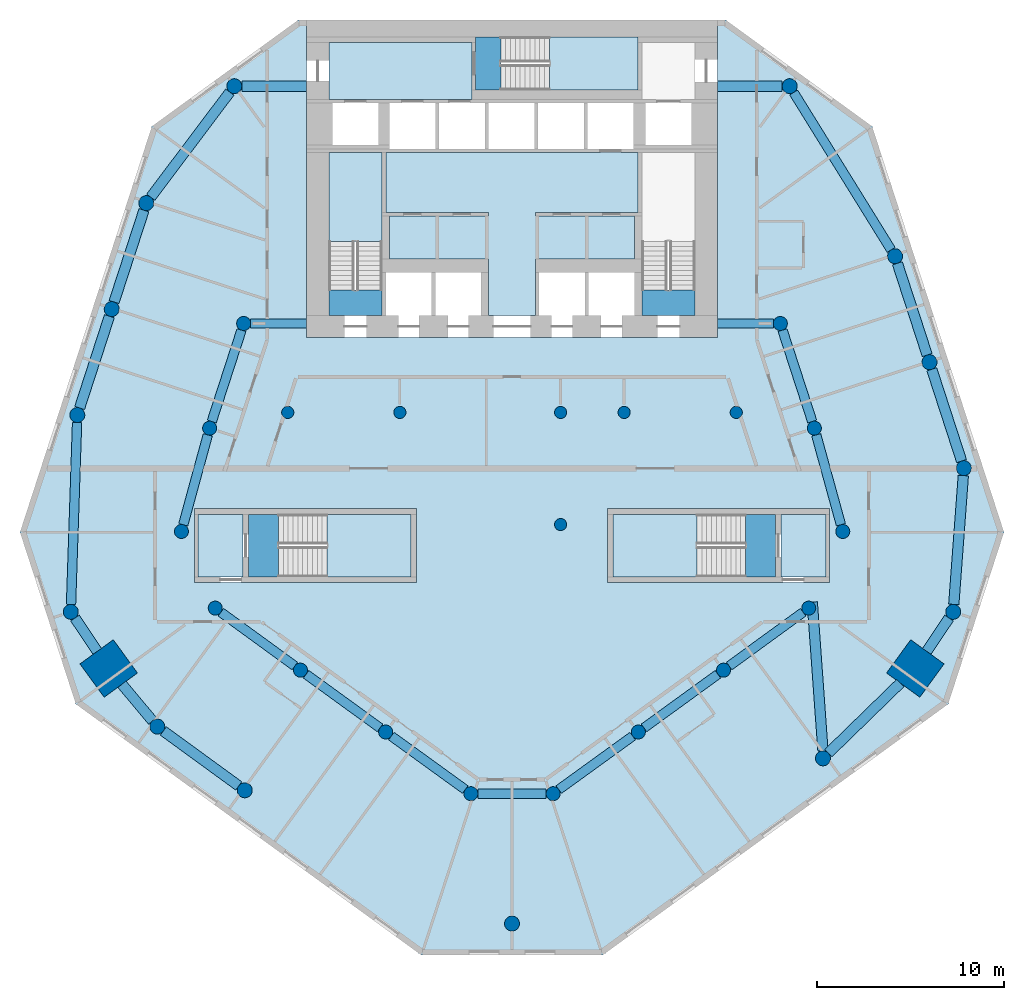
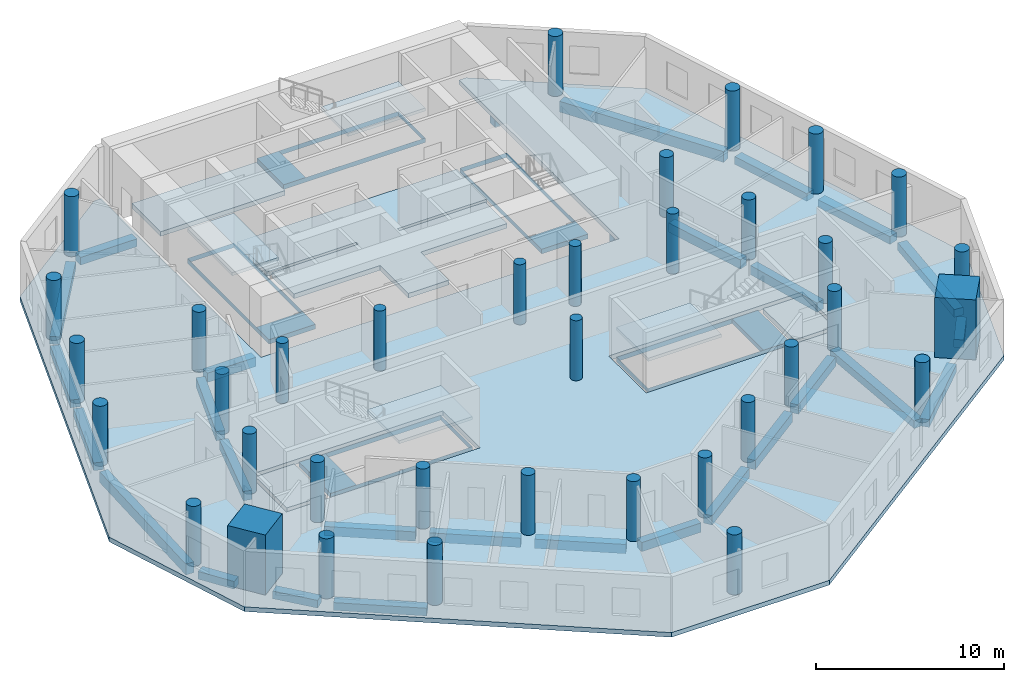
# One storey, part 1 of 9: 36 columns, 29 beams, 14 slabs, 4 elements without a shape of their own.
"""IFC4 building model written with IfcOpenShell, lengths in metres."""

from ifc_helpers import new_model, si_unit, direction, frame, origin, origin_2d, place, context, subcontext, project, spatial, polyline, rectangle, circle, outline, extrude, material, layer, layer_set, material_profile, profile_set, type_object, element, aggregate, save


model = new_model("IFC4")

# Units and contexts
model_context = context("Model", 3, precision=1e-05, world=origin(), true_north=direction((0.0, 1.0)))
body_context = subcontext(model_context, "Body", "Model", "MODEL_VIEW")
ifc_project = project(units=[si_unit("LENGTHUNIT", "METRE"), si_unit("AREAUNIT", "SQUARE_METRE"), si_unit("VOLUMEUNIT", "CUBIC_METRE"), si_unit("PLANEANGLEUNIT", "RADIAN"), si_unit("MASSUNIT", "GRAM", prefix="KILO")], contexts=[model_context])

# Site, building, storey
site_placement = place(None, origin())
site = spatial("IfcSite", under=ifc_project, at=site_placement, CompositionType="ELEMENT")
building_placement = place(site_placement, origin())
building = spatial("IfcBuilding", under=site, at=building_placement, Name="White Candle Pilgrim Tower", CompositionType="ELEMENT")
storey_placement = place(building_placement, frame((0.0, 0.0, 50.699951171875)))
storey = spatial("IfcBuildingStorey", under=building, at=storey_placement, Name="L09", CompositionType="ELEMENT", Elevation=50.699951171875)

# Columns
ifc_material_1 = material(Name="Concrete C80/95", Category="concrete")
ifc_material_profile_1 = material_profile(ifc_material_1, circle(Radius=0.324951171875, at=origin_2d()), Name="RC-COL D650")
ifc_profile_set_1 = profile_set([ifc_material_profile_1], Name="Concrete C80/95")
column_type_1 = type_object("IfcColumnType", Name="Interior column RC-COL D650 C80/95", PredefinedType="COLUMN", material=ifc_profile_set_1)
for number, where, z_axis, x_axis, name in (
    (1, (58.0, 67.0, 0.0), (0.0, 0.0, 1.0), (1.0, 0.0, 0.0), "L09 column I01"),
    (2, (64.0, 67.0, 0.0), (0.0, 0.0, 1.0), (1.0, 0.0, 0.0), "L09 column I02"),
    (3, (72.60009765625, 61.0, 0.0), (0.0, 0.0, 1.0), (1.0, 0.0, 0.0), "L09 column I03"),
    (4, (72.60009765625, 67.0, 0.0), (0.0, 0.0, 1.0), (1.0, 0.0, 0.0), "L09 column I04"),
    (5, (76.0, 67.0, 0.0), (0.0, 0.0, 1.0), (1.0, 0.0, 0.0), "L09 column I05"),
    (6, (82.0, 67.0, 0.0), (0.0, 0.0, 1.0), (1.0, 0.0, 0.0), "L09 column I06"),
):
    element("IfcColumn", number, at=place(storey_placement, frame(where, z_axis=z_axis, x_axis=x_axis)), inside=storey, type_object=column_type_1, Name=name, PredefinedType="COLUMN", context=body_context, shape_type="SweptSolid", body=[
        extrude(circle(Radius=0.324951171875, at=origin_2d()), origin(), (0.0, 0.0, 1.0), 3.900146484375),
    ])
ifc_material_profile_2 = material_profile(ifc_material_1, rectangle(XDim=2.199951171875, YDim=2.199951171875, at=origin_2d()), Name="RC 2200x2200")
ifc_profile_set_2 = profile_set([ifc_material_profile_2], Name="Concrete C80/95")
column_type_2 = type_object("IfcColumnType", Name="Mega column RC 2200x2200 C80/95", PredefinedType="COLUMN", material=ifc_profile_set_2)
for number, where, z_axis, x_axis, name in (
    (7, (48.419921875, 53.300048828125, 0.0), (0.0, 0.0, 1.0), (-0.809016994375, -0.587785252292, 0.0), "L09 mega column T02"),
    (8, (91.580078125, 53.300048828125, 0.0), (0.0, 0.0, 1.0), (0.809016994375, -0.587785252292, 0.0), "L09 mega column T07"),
):
    element("IfcColumn", number, at=place(storey_placement, frame(where, z_axis=z_axis, x_axis=x_axis)), inside=storey, type_object=column_type_2, Name=name, PredefinedType="COLUMN", context=body_context, shape_type="SweptSolid", body=[
        extrude(rectangle(XDim=2.199951171875, YDim=2.199951171875, at=origin_2d()), origin(), (0.0, 0.0, 1.0), 3.900146484375),
    ])
ifc_material_profile_3 = material_profile(ifc_material_1, circle(Radius=0.39990234375, at=origin_2d()), Name="RC-COL D800")
ifc_profile_set_3 = profile_set([ifc_material_profile_3], Name="Concrete C80/95")
column_type_3 = type_object("IfcColumnType", Name="Perimeter column RC-COL D800 C80/95", PredefinedType="COLUMN", material=ifc_profile_set_3)
for number, where, z_axis, x_axis, name in (
    (9, (46.389892578125, 56.330078125, 0.0), (0.0, 0.0, 1.0), (1.0, 0.0, 0.0), "L09 column T01"),
    (10, (51.02001953125, 50.18994140625, 0.0), (0.0, 0.0, 1.0), (1.0, 0.0, 0.0), "L09 column T03"),
    (11, (55.699951171875, 46.780029296875, 0.0), (0.0, 0.0, 1.0), (1.0, 0.0, 0.0), "L09 column T04"),
    (12, (70.0, 39.64990234375, 0.0), (0.0, 0.0, 1.0), (1.0, 0.0, 0.0), "L09 column T05"),
    (13, (86.639892578125, 48.489990234375, 0.0), (0.0, 0.0, 1.0), (1.0, 0.0, 0.0), "L09 column T06"),
    (14, (93.610107421875, 56.330078125, 0.0), (0.0, 0.0, 1.0), (1.0, 0.0, 0.0), "L09 column T08"),
    (15, (94.179931640625, 64.02001953125, 0.0), (0.0, 0.0, 1.0), (1.0, 0.0, 0.0), "L09 column T09"),
    (16, (92.340087890625, 69.68994140625, 0.0), (0.0, 0.0, 1.0), (1.0, 0.0, 0.0), "L09 column T10"),
    (17, (90.5, 75.360107421875, 0.0), (0.0, 0.0, 1.0), (1.0, 0.0, 0.0), "L09 column T11"),
    (18, (84.860107421875, 84.4599609375, 0.0), (0.0, 0.0, 1.0), (1.0, 0.0, 0.0), "L09 column T12"),
    (19, (55.139892578125, 84.4599609375, 0.0), (0.0, 0.0, 1.0), (1.0, 0.0, 0.0), "L09 column T13"),
    (20, (50.429931640625, 78.199951171875, 0.0), (0.0, 0.0, 1.0), (1.0, 0.0, 0.0), "L09 column T14"),
    (21, (48.580078125, 72.530029296875, 0.0), (0.0, 0.0, 1.0), (1.0, 0.0, 0.0), "L09 column T15"),
    (22, (46.739990234375, 66.860107421875, 0.0), (0.0, 0.0, 1.0), (1.0, 0.0, 0.0), "L09 column T16"),
):
    element("IfcColumn", number, at=place(storey_placement, frame(where, z_axis=z_axis, x_axis=x_axis)), inside=storey, type_object=column_type_3, Name=name, PredefinedType="COLUMN", context=body_context, shape_type="SweptSolid", body=[
        extrude(circle(Radius=0.39990234375, at=origin_2d()), origin(), (0.0, 0.0, 1.0), 3.900146484375),
    ])
ifc_material_profile_4 = material_profile(ifc_material_1, circle(Radius=0.375, at=origin_2d()), Name="RC-COL D750")
ifc_profile_set_4 = profile_set([ifc_material_profile_4], Name="Concrete C80/95")
column_type_4 = type_object("IfcColumnType", Name="Ring column RC-COL D750 C80/95", PredefinedType="COLUMN", material=ifc_profile_set_4)
for number, where, z_axis, x_axis, name in (
    (23, (52.31005859375, 60.6298828125, 0.0), (0.0, 0.0, 1.0), (1.0, 0.0, 0.0), "L09 column R01"),
    (24, (54.1201171875, 56.530029296875, 0.0), (0.0, 0.0, 1.0), (1.0, 0.0, 0.0), "L09 column R02"),
    (25, (58.679931640625, 53.2099609375, 0.0), (0.0, 0.0, 1.0), (1.0, 0.0, 0.0), "L09 column R03"),
    (26, (63.239990234375, 49.89990234375, 0.0), (0.0, 0.0, 1.0), (1.0, 0.0, 0.0), "L09 column R04"),
    (27, (67.800048828125, 46.60009765625, 0.0), (0.0, 0.0, 1.0), (1.0, 0.0, 0.0), "L09 column R05"),
    (28, (72.199951171875, 46.60009765625, 0.0), (0.0, 0.0, 1.0), (1.0, 0.0, 0.0), "L09 column R06"),
    (29, (76.760009765625, 49.89990234375, 0.0), (0.0, 0.0, 1.0), (1.0, 0.0, 0.0), "L09 column R07"),
    (30, (81.320068359375, 53.2099609375, 0.0), (0.0, 0.0, 1.0), (1.0, 0.0, 0.0), "L09 column R08"),
    (31, (85.8798828125, 56.530029296875, 0.0), (0.0, 0.0, 1.0), (1.0, 0.0, 0.0), "L09 column R09"),
    (32, (87.699951171875, 60.6298828125, 0.0), (0.0, 0.0, 1.0), (1.0, 0.0, 0.0), "L09 column R10"),
    (33, (86.179931640625, 66.159912109375, 0.0), (0.0, 0.0, 1.0), (1.0, 0.0, 0.0), "L09 column R11"),
    (34, (84.360107421875, 71.760009765625, 0.0), (0.0, 0.0, 1.0), (1.0, 0.0, 0.0), "L09 column R12"),
    (35, (55.639892578125, 71.760009765625, 0.0), (0.0, 0.0, 1.0), (1.0, 0.0, 0.0), "L09 column R13"),
    (36, (53.820068359375, 66.159912109375, 0.0), (0.0, 0.0, 1.0), (1.0, 0.0, 0.0), "L09 column R14"),
):
    element("IfcColumn", number, at=place(storey_placement, frame(where, z_axis=z_axis, x_axis=x_axis)), inside=storey, type_object=column_type_4, Name=name, PredefinedType="COLUMN", context=body_context, shape_type="SweptSolid", body=[
        extrude(circle(Radius=0.375, at=origin_2d()), origin(), (0.0, 0.0, 1.0), 3.900146484375),
    ])

# Beams
ifc_material_2 = material(Name="Concrete C50/60", Category="concrete")
ifc_material_profile_5 = material_profile(ifc_material_2, rectangle(XDim=0.5, YDim=0.60009765625, at=origin_2d()), Name="RC-BM 500x600")
ifc_profile_set_5 = profile_set([ifc_material_profile_5], Name="Concrete C50/60")
beam_type_1 = type_object("IfcBeamType", Name="Ring beam RC-BM 500x600 C50/60", PredefinedType="BEAM", material=ifc_profile_set_5)
beam_1_placement = place(storey_placement, frame((54.423095703125, 56.309326171875, -0.599853515625), z_axis=(0.808431607518, -0.58859012561, 0.0), x_axis=(0.58859012561, 0.808431607518, 0.0)))
element("IfcBeam", 37, at=beam_1_placement, inside=storey, type_object=beam_type_1, Name="L09 ring beam R01", PredefinedType="BEAM", context=body_context, shape_type="SweptSolid", body=[
    extrude(rectangle(XDim=0.5, YDim=0.60009765625, at=origin_2d()), origin(), (0.0, 0.0, 1.0), 4.890869140625),
])
beam_2_placement = place(storey_placement, frame((58.9833984375, 52.98974609375, -0.599853515625), z_axis=(0.809276033964, -0.587428549572, 0.0), x_axis=(0.587428549572, 0.809276033964, 0.0)))
element("IfcBeam", 38, at=beam_2_placement, inside=storey, type_object=beam_type_1, Name="L09 ring beam R02", PredefinedType="BEAM", context=body_context, shape_type="SweptSolid", body=[
    extrude(rectangle(XDim=0.5, YDim=0.60009765625, at=origin_2d()), origin(), (0.0, 0.0, 1.0), 4.885009765625),
])
beam_3_placement = place(storey_placement, frame((63.543701171875, 49.680419921875, -0.599853515625), z_axis=(0.810079795278, -0.586319644291, 0.0), x_axis=(0.586319644291, 0.810079795278, 0.0)))
element("IfcBeam", 39, at=beam_3_placement, inside=storey, type_object=beam_type_1, Name="L09 ring beam R03", PredefinedType="BEAM", context=body_context, shape_type="SweptSolid", body=[
    extrude(rectangle(XDim=0.5, YDim=0.60009765625, at=origin_2d()), origin(), (0.0, 0.0, 1.0), 4.87939453125),
])
beam_4_placement = place(storey_placement, frame((68.175048828125, 46.60009765625, -0.599853515625), z_axis=(1.0, 0.0, 0.0), x_axis=(0.0, 1.0, 0.0)))
element("IfcBeam", 40, at=beam_4_placement, inside=storey, type_object=beam_type_1, Name="L09 ring beam R04", PredefinedType="BEAM", context=body_context, shape_type="SweptSolid", body=[
    extrude(rectangle(XDim=0.5, YDim=0.60009765625, at=origin_2d()), origin(), (0.0, 0.0, 1.0), 3.64990234375),
])
beam_5_placement = place(storey_placement, frame((72.503662109375, 46.819580078125, -0.599853515625), z_axis=(0.810079795278, 0.586319644291, 0.0), x_axis=(-0.586319644291, 0.810079795278, 0.0)))
element("IfcBeam", 41, at=beam_5_placement, inside=storey, type_object=beam_type_1, Name="L09 ring beam R05", PredefinedType="BEAM", context=body_context, shape_type="SweptSolid", body=[
    extrude(rectangle(XDim=0.5, YDim=0.60009765625, at=origin_2d()), origin(), (0.0, 0.0, 1.0), 4.87939453125),
])
beam_6_placement = place(storey_placement, frame((77.063232421875, 50.1201171875, -0.599853515625), z_axis=(0.809276033964, 0.587428549572, 0.0), x_axis=(-0.587428549572, 0.809276033964, 0.0)))
element("IfcBeam", 42, at=beam_6_placement, inside=storey, type_object=beam_type_1, Name="L09 ring beam R06", PredefinedType="BEAM", context=body_context, shape_type="SweptSolid", body=[
    extrude(rectangle(XDim=0.5, YDim=0.60009765625, at=origin_2d()), origin(), (0.0, 0.0, 1.0), 4.885009765625),
])
beam_7_placement = place(storey_placement, frame((81.623046875, 53.4306640625, -0.599853515625), z_axis=(0.808431607518, 0.58859012561, 0.0), x_axis=(-0.58859012561, 0.808431607518, 0.0)))
element("IfcBeam", 43, at=beam_7_placement, inside=storey, type_object=beam_type_1, Name="L09 ring beam R07", PredefinedType="BEAM", context=body_context, shape_type="SweptSolid", body=[
    extrude(rectangle(XDim=0.5, YDim=0.60009765625, at=origin_2d()), origin(), (0.0, 0.0, 1.0), 4.890869140625),
])
beam_8_placement = place(storey_placement, frame((87.6005859375, 60.991455078125, -0.599853515625), z_axis=(-0.265031278819, 0.964239815216, 0.0), x_axis=(-0.964239815216, -0.265031278819, 0.0)))
element("IfcBeam", 44, at=beam_8_placement, inside=storey, type_object=beam_type_1, Name="L09 ring beam R08", PredefinedType="BEAM", context=body_context, shape_type="SweptSolid", body=[
    extrude(rectangle(XDim=0.5, YDim=0.60009765625, at=origin_2d()), origin(), (0.0, 0.0, 1.0), 4.9853515625),
])
beam_9_placement = place(storey_placement, frame((86.064208984375, 66.5166015625, -0.599853515625), z_axis=(-0.309106483996, 0.9510274347, 0.0), x_axis=(-0.9510274347, -0.309106483996, 0.0)))
element("IfcBeam", 45, at=beam_9_placement, inside=storey, type_object=beam_type_1, Name="L09 ring beam R09", PredefinedType="BEAM", context=body_context, shape_type="SweptSolid", body=[
    extrude(rectangle(XDim=0.5, YDim=0.60009765625, at=origin_2d()), origin(), (0.0, 0.0, 1.0), 5.138671875),
])
for number, where, z_axis, x_axis, name in (
    (46, (83.985107421875, 71.760009765625, -0.599853515625), (-1.0, 0.0, 0.0), (0.0, -1.0, 0.0), "L09 ring beam R10"),
    (47, (56.014892578125, 71.760009765625, -0.599853515625), (1.0, 0.0, 0.0), (0.0, 1.0, 0.0), "L09 ring beam R11"),
):
    element("IfcBeam", number, at=place(storey_placement, frame(where, z_axis=z_axis, x_axis=x_axis)), inside=storey, type_object=beam_type_1, Name=name, PredefinedType="BEAM", context=body_context, shape_type="SweptSolid", body=[
        extrude(rectangle(XDim=0.5, YDim=0.60009765625, at=origin_2d()), origin(), (0.0, 0.0, 1.0), 2.985107421875),
    ])
beam_10_placement = place(storey_placement, frame((55.524169921875, 71.403564453125, -0.599853515625), z_axis=(-0.309106483996, -0.9510274347, 0.0), x_axis=(0.9510274347, -0.309106483996, 0.0)))
element("IfcBeam", 48, at=beam_10_placement, inside=storey, type_object=beam_type_1, Name="L09 ring beam R12", PredefinedType="BEAM", context=body_context, shape_type="SweptSolid", body=[
    extrude(rectangle(XDim=0.5, YDim=0.60009765625, at=origin_2d()), origin(), (0.0, 0.0, 1.0), 5.138671875),
])
beam_11_placement = place(storey_placement, frame((53.72119140625, 65.79833984375, -0.599853515625), z_axis=(-0.263415907103, -0.964682362172, 0.0), x_axis=(0.964682362172, -0.263415907103, 0.0)))
element("IfcBeam", 49, at=beam_11_placement, inside=storey, type_object=beam_type_1, Name="L09 ring beam R13", PredefinedType="BEAM", context=body_context, shape_type="SweptSolid", body=[
    extrude(rectangle(XDim=0.5, YDim=0.60009765625, at=origin_2d()), origin(), (0.0, 0.0, 1.0), 4.982666015625),
])
ifc_material_profile_6 = material_profile(ifc_material_2, rectangle(XDim=0.5, YDim=0.699951171875, at=origin_2d()), Name="RC-BM 500x700")
ifc_profile_set_6 = profile_set([ifc_material_profile_6], Name="Concrete C50/60")
beam_type_2 = type_object("IfcBeamType", Name="Spandrel beam RC-BM 500x700 C50/60", PredefinedType="BEAM", material=ifc_profile_set_6)
beam_12_placement = place(storey_placement, frame((90.289306640625, 75.69970703125, -0.64990234375), z_axis=(-0.526800809553, 0.849988768781, 0.0), x_axis=(-0.849988768781, -0.526800809553, 0.0)))
element("IfcBeam", 50, at=beam_12_placement, inside=storey, type_object=beam_type_2, Name="L09 spandrel beam T10", PredefinedType="BEAM", context=body_context, shape_type="SweptSolid", body=[
    extrude(rectangle(XDim=0.5, YDim=0.699951171875, at=origin_2d()), origin(), (0.0, 0.0, 1.0), 9.906494140625),
])
beam_13_placement = place(storey_placement, frame((46.726806640625, 66.46044921875, -0.64990234375), z_axis=(-0.033224659514, -0.999447908598, 0.0), x_axis=(0.999447908598, -0.033224659514, 0.0)))
element("IfcBeam", 51, at=beam_13_placement, inside=storey, type_object=beam_type_2, Name="L09 spandrel beam T16", PredefinedType="BEAM", context=body_context, shape_type="SweptSolid", body=[
    extrude(rectangle(XDim=0.5, YDim=0.699951171875, at=origin_2d()), origin(), (0.0, 0.0, 1.0), 9.736328125),
])
ifc_material_profile_7 = material_profile(ifc_material_2, rectangle(XDim=0.550048828125, YDim=0.5, at=origin_2d()), Name="RC-BM 550x500")
ifc_profile_set_7 = profile_set([ifc_material_profile_7], Name="Concrete C50/60")
beam_type_3 = type_object("IfcBeamType", Name="Spandrel beam RC-BM 550x500 C50/60", PredefinedType="BEAM", material=ifc_profile_set_7)
beam_14_placement = place(storey_placement, frame((46.612548828125, 55.997802734375, -0.550048828125), z_axis=(0.556641005169, -0.830753147069, 0.0), x_axis=(0.830753147069, 0.556641005169, 0.0)))
element("IfcBeam", 52, at=beam_14_placement, inside=storey, type_object=beam_type_3, Name="L09 spandrel beam T01", PredefinedType="BEAM", context=body_context, shape_type="SweptSolid", body=[
    extrude(rectangle(XDim=0.550048828125, YDim=0.5, at=origin_2d()), origin(), (0.0, 0.0, 1.0), 2.146484375),
])
beam_15_placement = place(storey_placement, frame((49.127197265625, 52.4541015625, -0.550048828125), z_axis=(0.641388324436, -0.767216408373, 0.0), x_axis=(0.767216408373, 0.641388324436, 0.0)))
element("IfcBeam", 53, at=beam_15_placement, inside=storey, type_object=beam_type_3, Name="L09 spandrel beam T02", PredefinedType="BEAM", context=body_context, shape_type="SweptSolid", body=[
    extrude(rectangle(XDim=0.550048828125, YDim=0.5, at=origin_2d()), origin(), (0.0, 0.0, 1.0), 2.551513671875),
])
beam_16_placement = place(storey_placement, frame((51.343017578125, 49.95458984375, -0.550048828125), z_axis=(0.808217539001, -0.588884037525, 0.0), x_axis=(0.588884037525, 0.808217539001, 0.0)))
element("IfcBeam", 54, at=beam_16_placement, inside=storey, type_object=beam_type_3, Name="L09 spandrel beam T03", PredefinedType="BEAM", context=body_context, shape_type="SweptSolid", body=[
    extrude(rectangle(XDim=0.550048828125, YDim=0.5, at=origin_2d()), origin(), (0.0, 0.0, 1.0), 4.9912109375),
])
beam_17_placement = place(storey_placement, frame((86.639892578125, 48.889892578125, -0.550048828125), z_axis=(-0.071694624988, 0.997426629255, 0.0), x_axis=(-0.997426629255, -0.071694624988, 0.0)))
element("IfcBeam", 55, at=beam_17_placement, inside=storey, type_object=beam_type_3, Name="L09 spandrel beam T04", PredefinedType="BEAM", context=body_context, shape_type="SweptSolid", body=[
    extrude(rectangle(XDim=0.550048828125, YDim=0.5, at=origin_2d()), origin(), (0.0, 0.0, 1.0), 7.9853515625),
])
beam_18_placement = place(storey_placement, frame((86.926513671875, 48.768798828125, -0.550048828125), z_axis=(0.716462232914, 0.697625880259, 0.0), x_axis=(-0.697625880259, 0.716462232914, 0.0)))
element("IfcBeam", 56, at=beam_18_placement, inside=storey, type_object=beam_type_3, Name="L09 spandrel beam T05", PredefinedType="BEAM", context=body_context, shape_type="SweptSolid", body=[
    extrude(rectangle(XDim=0.550048828125, YDim=0.5, at=origin_2d()), origin(), (0.0, 0.0, 1.0), 5.37890625),
])
beam_19_placement = place(storey_placement, frame((92.192626953125, 54.214599609375, -0.550048828125), z_axis=(0.556641005169, 0.830753147069, 0.0), x_axis=(-0.830753147069, 0.556641005169, 0.0)))
element("IfcBeam", 57, at=beam_19_placement, inside=storey, type_object=beam_type_3, Name="L09 spandrel beam T06", PredefinedType="BEAM", context=body_context, shape_type="SweptSolid", body=[
    extrude(rectangle(XDim=0.550048828125, YDim=0.5, at=origin_2d()), origin(), (0.0, 0.0, 1.0), 2.146484375),
])
beam_20_placement = place(storey_placement, frame((93.6396484375, 56.728759765625, -0.550048828125), z_axis=(0.073900311906, 0.99726563357, 0.0), x_axis=(-0.99726563357, 0.073900311906, 0.0)))
element("IfcBeam", 58, at=beam_20_placement, inside=storey, type_object=beam_type_3, Name="L09 spandrel beam T07", PredefinedType="BEAM", context=body_context, shape_type="SweptSolid", body=[
    extrude(rectangle(XDim=0.550048828125, YDim=0.5, at=origin_2d()), origin(), (0.0, 0.0, 1.0), 6.9111328125),
])
for number, where, z_axis, x_axis, name in (
    (59, (94.056640625, 64.400390625, -0.550048828125), (-0.308682827488, 0.951165028801, 0.0), (-0.951165028801, -0.308682827488, 0.0), "L09 spandrel beam T08"),
    (60, (92.216552734375, 70.0703125, -0.550048828125), (-0.308682827488, 0.951165028801, 0.0), (-0.951165028801, -0.308682827488, 0.0), "L09 spandrel beam T09"),
):
    element("IfcBeam", number, at=place(storey_placement, frame(where, z_axis=z_axis, x_axis=x_axis)), inside=storey, type_object=beam_type_3, Name=name, PredefinedType="BEAM", context=body_context, shape_type="SweptSolid", body=[
        extrude(rectangle(XDim=0.550048828125, YDim=0.5, at=origin_2d()), origin(), (0.0, 0.0, 1.0), 5.161376953125),
    ])
for number, where, z_axis, x_axis, name in (
    (61, (84.4599609375, 84.4599609375, -0.550048828125), (-1.0, 0.0, 0.0), (0.0, -1.0, 0.0), "L09 spandrel beam T11"),
    (62, (55.5400390625, 84.4599609375, -0.550048828125), (1.0, 0.0, 0.0), (0.0, 1.0, 0.0), "L09 spandrel beam T12"),
):
    element("IfcBeam", number, at=place(storey_placement, frame(where, z_axis=z_axis, x_axis=x_axis)), inside=storey, type_object=beam_type_3, Name=name, PredefinedType="BEAM", context=body_context, shape_type="SweptSolid", body=[
        extrude(rectangle(XDim=0.550048828125, YDim=0.5, at=origin_2d()), origin(), (0.0, 0.0, 1.0), 3.4599609375),
    ])
beam_21_placement = place(storey_placement, frame((54.899658203125, 84.140380859375, -0.550048828125), z_axis=(-0.601237643972, -0.79907026942, 0.0), x_axis=(0.79907026942, -0.601237643972, 0.0)))
element("IfcBeam", 63, at=beam_21_placement, inside=storey, type_object=beam_type_3, Name="L09 spandrel beam T13", PredefinedType="BEAM", context=body_context, shape_type="SweptSolid", body=[
    extrude(rectangle(XDim=0.550048828125, YDim=0.5, at=origin_2d()), origin(), (0.0, 0.0, 1.0), 7.0341796875),
])
beam_22_placement = place(storey_placement, frame((50.305908203125, 77.81982421875, -0.550048828125), z_axis=(-0.310165508273, -0.950682574511, 0.0), x_axis=(0.950682574511, -0.310165508273, 0.0)))
element("IfcBeam", 64, at=beam_22_placement, inside=storey, type_object=beam_type_3, Name="L09 spandrel beam T14", PredefinedType="BEAM", context=body_context, shape_type="SweptSolid", body=[
    extrude(rectangle(XDim=0.550048828125, YDim=0.5, at=origin_2d()), origin(), (0.0, 0.0, 1.0), 5.164306640625),
])
beam_23_placement = place(storey_placement, frame((48.45654296875, 72.149658203125, -0.550048828125), z_axis=(-0.308682827488, -0.951165028801, 0.0), x_axis=(0.951165028801, -0.308682827488, 0.0)))
element("IfcBeam", 65, at=beam_23_placement, inside=storey, type_object=beam_type_3, Name="L09 spandrel beam T15", PredefinedType="BEAM", context=body_context, shape_type="SweptSolid", body=[
    extrude(rectangle(XDim=0.550048828125, YDim=0.5, at=origin_2d()), origin(), (0.0, 0.0, 1.0), 5.161376953125),
])

# Slabs
ifc_material_3 = material(Name="Concrete C40/50", Category="concrete")
ifc_layer_1 = layer(ifc_material_3, 0.300048828125)
ifc_layer_set_1 = layer_set([ifc_layer_1], Name="Core floor slab 300 mm Concrete C40/50")
slab_type_1 = type_object("IfcSlabType", Name="Core floor slab 300 mm Concrete C40/50", PredefinedType="FLOOR", material=ifc_layer_set_1)
slab_1_placement = place(storey_placement, frame((0.0, 0.0, -0.300048828125)))
element("IfcSlab", 66, at=slab_1_placement, inside=storey, type_object=slab_type_1, Name="CF-L09-01", PredefinedType="FLOOR", context=body_context, shape_type="SweptSolid", body=[
    extrude(outline(polyline([(55.60009765625, 58.199951171875), (53.199951171875, 58.199951171875), (53.199951171875, 61.550048828125), (55.60009765625, 61.550048828125), (55.60009765625, 58.199951171875)])), origin(), (0.0, 0.0, 1.0), 0.300048828125),
])
slab_2_placement = place(storey_placement, frame((0.0, 0.0, -0.300048828125)))
element("IfcSlab", 67, at=slab_2_placement, inside=storey, type_object=slab_type_1, Name="CF-L09-02", PredefinedType="FLOOR", context=body_context, shape_type="SweptSolid", body=[
    extrude(outline(polyline([(55.89990234375, 58.199951171875), (55.89990234375, 61.550048828125), (64.60009765625, 61.550048828125), (64.60009765625, 58.199951171875), (55.89990234375, 58.199951171875)]), holes=[polyline([(57.501953125, 61.548095703125), (57.501953125, 58.201904296875), (64.597900390625, 58.201904296875), (64.597900390625, 61.548095703125), (57.501953125, 61.548095703125)])]), origin(), (0.0, 0.0, 1.0), 0.300048828125),
])
slab_3_placement = place(storey_placement, frame((0.0, 0.0, -0.300048828125)))
element("IfcSlab", 68, at=slab_3_placement, inside=storey, type_object=slab_type_1, Name="CF-L09-03", PredefinedType="FLOOR", context=body_context, shape_type="SweptSolid", body=[
    extrude(outline(polyline([(75.39990234375, 58.199951171875), (75.39990234375, 61.550048828125), (84.10009765625, 61.550048828125), (84.10009765625, 58.199951171875), (75.39990234375, 58.199951171875)]), holes=[polyline([(82.498046875, 58.201904296875), (82.498046875, 61.548095703125), (75.402099609375, 61.548095703125), (75.402099609375, 58.201904296875), (82.498046875, 58.201904296875)])]), origin(), (0.0, 0.0, 1.0), 0.300048828125),
])
slab_4_placement = place(storey_placement, frame((0.0, 0.0, -0.300048828125)))
element("IfcSlab", 69, at=slab_4_placement, inside=storey, type_object=slab_type_1, Name="CF-L09-04", PredefinedType="FLOOR", context=body_context, shape_type="SweptSolid", body=[
    extrude(outline(polyline([(86.800048828125, 58.199951171875), (84.39990234375, 58.199951171875), (84.39990234375, 61.550048828125), (86.800048828125, 61.550048828125), (86.800048828125, 58.199951171875)])), origin(), (0.0, 0.0, 1.0), 0.300048828125),
])
slab_5_placement = place(storey_placement, frame((0.0, 0.0, -0.300048828125)))
element("IfcSlab", 70, at=slab_5_placement, inside=storey, type_object=slab_type_1, Name="CF-L09-05", PredefinedType="FLOOR", context=body_context, shape_type="SweptSolid", body=[
    extrude(outline(polyline([(76.75, 87.10009765625), (76.75, 86.800048828125), (76.75, 84.25), (68.050048828125, 84.25), (68.050048828125, 86.800048828125), (68.050048828125, 87.10009765625), (76.75, 87.10009765625)]), holes=[polyline([(69.402099609375, 87.097900390625), (69.402099609375, 84.251953125), (76.748046875, 84.251953125), (76.748046875, 87.097900390625), (69.402099609375, 87.097900390625)])]), origin(), (0.0, 0.0, 1.0), 0.300048828125),
])
slab_6_placement = place(storey_placement, frame((0.0, 0.0, -0.300048828125)))
element("IfcSlab", 71, at=slab_6_placement, inside=storey, type_object=slab_type_1, Name="CF-L09-07", PredefinedType="FLOOR", context=body_context, shape_type="SweptSolid", body=[
    extrude(outline(polyline([(79.800048828125, 72.199951171875), (76.949951171875, 72.199951171875), (76.949951171875, 74.5), (76.949951171875, 75.199951171875), (76.949951171875, 77.5), (76.949951171875, 77.699951171875), (76.949951171875, 80.89990234375), (79.800048828125, 80.89990234375), (79.800048828125, 72.199951171875)]), holes=[polyline([(76.951904296875, 73.552001953125), (79.798095703125, 73.552001953125), (79.798095703125, 80.89794921875), (76.951904296875, 80.89794921875), (76.951904296875, 73.552001953125)])]), origin(), (0.0, 0.0, 1.0), 0.300048828125),
])
slab_7_placement = place(storey_placement, frame((0.0, 0.0, -0.300048828125)))
element("IfcSlab", 72, at=slab_7_placement, inside=storey, type_object=slab_type_1, Name="CF-L09-08", PredefinedType="FLOOR", context=body_context, shape_type="SweptSolid", body=[
    extrude(outline(polyline([(68.75, 72.199951171875), (68.75, 74.5), (68.75, 75.199951171875), (63.449951171875, 75.199951171875), (63.449951171875, 77.5), (68.75, 77.5), (68.75, 77.699951171875), (63.25, 77.699951171875), (63.25, 80.89990234375), (76.75, 80.89990234375), (76.75, 77.699951171875), (71.25, 77.699951171875), (71.25, 77.5), (76.550048828125, 77.5), (76.550048828125, 75.199951171875), (71.25, 75.199951171875), (71.25, 74.5), (71.25, 72.199951171875), (68.75, 72.199951171875)])), origin(), (0.0, 0.0, 1.0), 0.300048828125),
])
slab_8_placement = place(storey_placement, frame((0.0, 0.0, -0.300048828125)))
element("IfcSlab", 73, at=slab_8_placement, inside=storey, type_object=slab_type_1, Name="CF-L09-09", PredefinedType="FLOOR", context=body_context, shape_type="SweptSolid", body=[
    extrude(outline(polyline([(60.199951171875, 72.199951171875), (60.199951171875, 80.89990234375), (63.050048828125, 80.89990234375), (63.050048828125, 77.699951171875), (63.050048828125, 77.5), (63.050048828125, 75.199951171875), (63.050048828125, 74.5), (63.050048828125, 72.199951171875), (60.199951171875, 72.199951171875)]), holes=[polyline([(60.201904296875, 73.552001953125), (63.048095703125, 73.552001953125), (63.048095703125, 80.89794921875), (60.201904296875, 80.89794921875), (60.201904296875, 73.552001953125)])]), origin(), (0.0, 0.0, 1.0), 0.300048828125),
])
slab_9_placement = place(storey_placement, frame((0.0, 0.0, -0.300048828125)))
element("IfcSlab", 74, at=slab_9_placement, inside=storey, type_object=slab_type_1, Name="CF-L09-10", PredefinedType="FLOOR", context=body_context, shape_type="SweptSolid", body=[
    extrude(outline(polyline([(60.199951171875, 86.800048828125), (67.85009765625, 86.800048828125), (67.85009765625, 84.25), (67.85009765625, 83.75), (60.199951171875, 83.75), (60.199951171875, 86.800048828125)])), origin(), (0.0, 0.0, 1.0), 0.300048828125),
])
ifc_layer_2 = layer(ifc_material_3, 0.300048828125)
ifc_layer_set_2 = layer_set([ifc_layer_2], Name="Floor slab 300 REI 120")
slab_type_2 = type_object("IfcSlabType", Name="Floor slab 300 REI 120", PredefinedType="FLOOR", material=ifc_layer_set_2)
slab_10_placement = place(storey_placement, frame((0.0, 0.0, -0.300048828125)))
element("IfcSlab", 75, at=slab_10_placement, inside=storey, type_object=slab_type_2, Name="L09 floor slab", PredefinedType="FLOOR", context=body_context, shape_type="SweptSolid", body=[
    extrude(outline(polyline([(65.156494140625, 37.95458984375), (74.843505859375, 37.95458984375), (93.338134765625, 51.391845703125), (96.327392578125, 60.59130859375), (89.27099609375, 82.308349609375), (81.43701171875, 88.0), (81.0, 88.0), (81.0, 71.0), (59.0, 71.0), (59.0, 88.0), (58.56298828125, 88.0), (50.72900390625, 82.308349609375), (43.672607421875, 60.59130859375), (46.661865234375, 51.391845703125), (65.156494140625, 37.95458984375)]), holes=[polyline([(53.0, 57.89990234375), (53.0, 61.85009765625), (64.89990234375, 61.85009765625), (64.89990234375, 57.89990234375), (53.0, 57.89990234375)]), polyline([(75.10009765625, 57.89990234375), (75.10009765625, 61.85009765625), (87.0, 61.85009765625), (87.0, 57.89990234375), (75.10009765625, 57.89990234375)])]), origin(), (0.0, 0.0, 1.0), 0.300048828125),
])

# Stair, slab
stair_type_1 = type_object("IfcStairType", Name="Exit stair 1 flight width 1350 mm", PredefinedType="HALF_TURN_STAIR", material=ifc_material_3)
stair_1_placement = place(storey_placement, origin())
stair_1 = element("IfcStair", 76, at=stair_1_placement, inside=storey, type_object=stair_type_1, Name="L09 stair 1", PredefinedType="NOTDEFINED")
ifc_layer_3 = layer(ifc_material_3, 0.199951171875)
ifc_layer_set_3 = layer_set([ifc_layer_3], Name="Stair landing Concrete C40/50")
slab_type_3 = type_object("IfcSlabType", Name="Stair landing Concrete C40/50", PredefinedType="LANDING", material=ifc_layer_set_3)
slab_11_placement = place(storey_placement, frame((0.0, 0.0, 1.75)))
slab_11 = element("IfcSlab", 77, at=slab_11_placement, type_object=slab_type_3, Name="ST1 landing 1", PredefinedType="LANDING", context=body_context, shape_type="SweptSolid", body=[
    extrude(outline(polyline([(63.052001953125, 76.14794921875), (60.197998046875, 76.14794921875), (60.197998046875, 80.902099609375), (63.052001953125, 80.902099609375), (63.052001953125, 76.14794921875)])), origin(), (0.0, 0.0, 1.0), 0.199951171875),
])
aggregate(stair_1, [slab_11])

stair_type_2 = type_object("IfcStairType", Name="Exit stair 3 flight width 1350 mm", PredefinedType="HALF_TURN_STAIR", material=ifc_material_3)
stair_2_placement = place(storey_placement, origin())
stair_2 = element("IfcStair", 78, at=stair_2_placement, inside=storey, type_object=stair_type_2, Name="L09 stair 3", PredefinedType="NOTDEFINED")
slab_12_placement = place(storey_placement, frame((0.0, 0.0, 1.75)))
slab_12 = element("IfcSlab", 79, at=slab_12_placement, type_object=slab_type_3, Name="ST3 landing 1", PredefinedType="LANDING", context=body_context, shape_type="SweptSolid", body=[
    extrude(outline(polyline([(71.998046875, 84.248046875), (71.998046875, 87.10205078125), (76.751953125, 87.10205078125), (76.751953125, 84.248046875), (71.998046875, 84.248046875)])), origin(), (0.0, 0.0, 1.0), 0.199951171875),
])
aggregate(stair_2, [slab_12])

stair_type_3 = type_object("IfcStairType", Name="Exit stair 4 flight width 1600 mm", PredefinedType="HALF_TURN_STAIR", material=ifc_material_3)
stair_3_placement = place(storey_placement, origin())
stair_3 = element("IfcStair", 80, at=stair_3_placement, inside=storey, type_object=stair_type_3, Name="L09 stair 4", PredefinedType="NOTDEFINED")
slab_13_placement = place(storey_placement, frame((0.0, 0.0, 1.75)))
slab_13 = element("IfcSlab", 81, at=slab_13_placement, type_object=slab_type_3, Name="ST4 landing 1", PredefinedType="LANDING", context=body_context, shape_type="SweptSolid", body=[
    extrude(outline(polyline([(79.902099609375, 61.552001953125), (79.902099609375, 58.197998046875), (75.39794921875, 58.197998046875), (75.39794921875, 61.552001953125), (79.902099609375, 61.552001953125)])), origin(), (0.0, 0.0, 1.0), 0.199951171875),
])
aggregate(stair_3, [slab_13])

stair_type_4 = type_object("IfcStairType", Name="Exit stair 5 flight width 1600 mm", PredefinedType="HALF_TURN_STAIR", material=ifc_material_3)
stair_4_placement = place(storey_placement, origin())
stair_4 = element("IfcStair", 82, at=stair_4_placement, inside=storey, type_object=stair_type_4, Name="L09 stair 5", PredefinedType="NOTDEFINED")
slab_14_placement = place(storey_placement, frame((0.0, 0.0, 1.75)))
slab_14 = element("IfcSlab", 83, at=slab_14_placement, type_object=slab_type_3, Name="ST5 landing 1", PredefinedType="LANDING", context=body_context, shape_type="SweptSolid", body=[
    extrude(outline(polyline([(60.097900390625, 58.197998046875), (60.097900390625, 61.552001953125), (64.60205078125, 61.552001953125), (64.60205078125, 58.197998046875), (60.097900390625, 58.197998046875)])), origin(), (0.0, 0.0, 1.0), 0.199951171875),
])
aggregate(stair_4, [slab_14])

save(model, "model.ifc")
